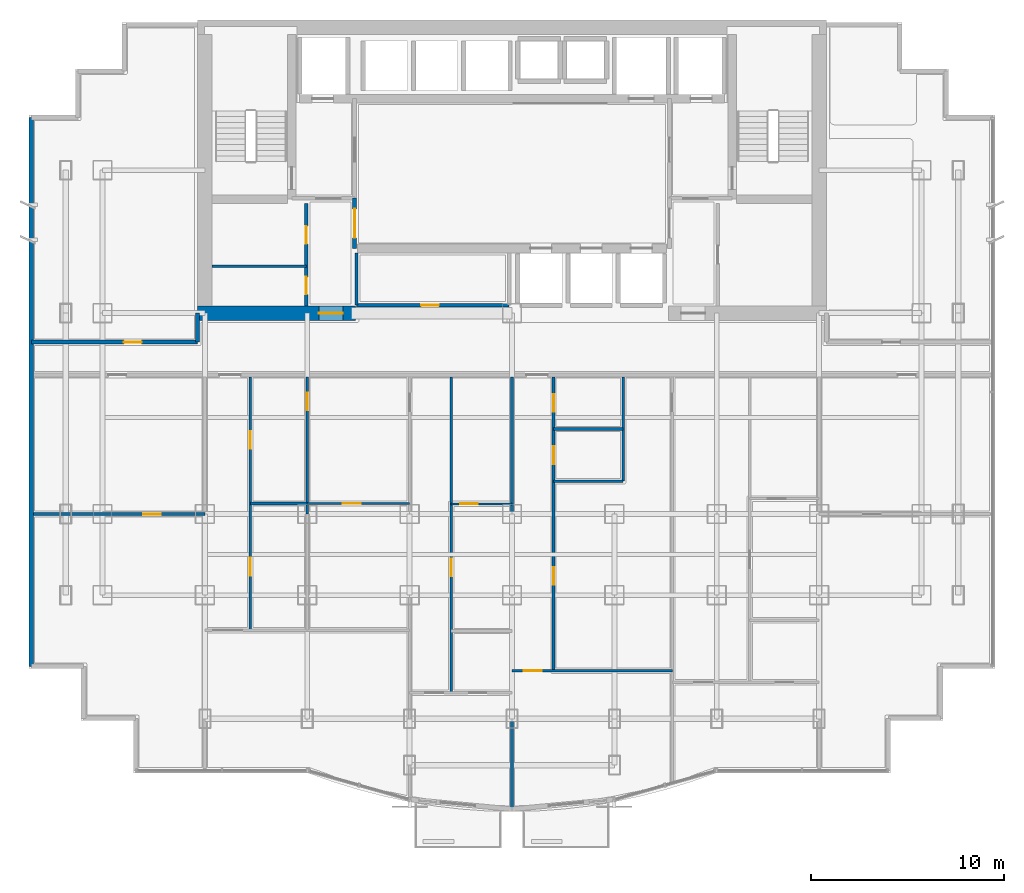
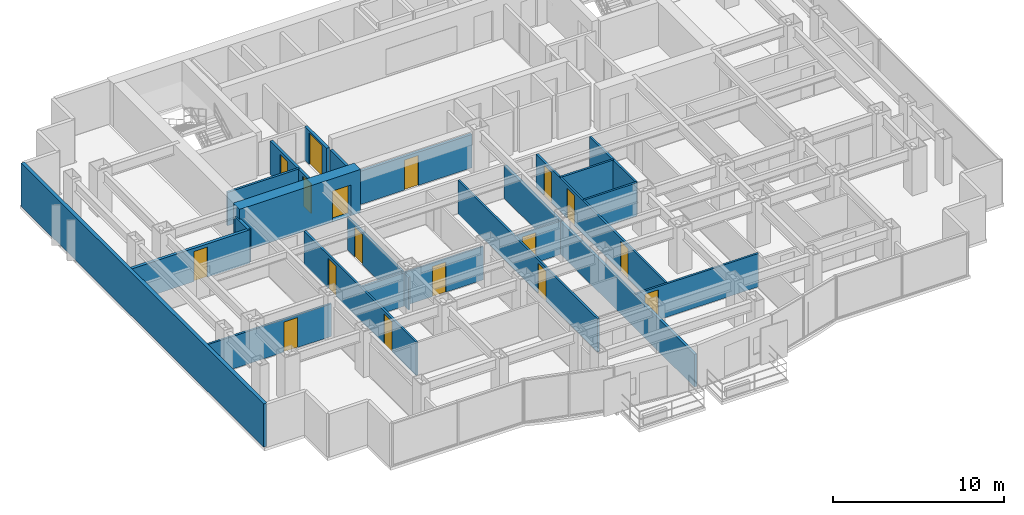
# One storey, part 7 of 12: 22 walls, 17 doors, 17 openings.
"""IFC4 building model written with IfcOpenShell, lengths in metres."""

from ifc_helpers import new_model, si_unit, direction, frame, frame_2d, origin, place, context, subcontext, project, spatial, rectangle, extrude, material, layer, layer_set, type_object, element, fill, save


model = new_model("IFC4")

# Units and contexts
model_context = context("Model", 3, precision=1e-05, world=origin(), true_north=direction((0.0, 1.0)))
body_context = subcontext(model_context, "Body", "Model", "MODEL_VIEW")
ifc_project = project(units=[si_unit("LENGTHUNIT", "METRE"), si_unit("AREAUNIT", "SQUARE_METRE"), si_unit("VOLUMEUNIT", "CUBIC_METRE"), si_unit("PLANEANGLEUNIT", "RADIAN"), si_unit("MASSUNIT", "GRAM", prefix="KILO")], contexts=[model_context])

# Site, building, storey
site_placement = place(None, origin())
site = spatial("IfcSite", under=ifc_project, at=site_placement, CompositionType="ELEMENT")
building_placement = place(site_placement, origin())
building = spatial("IfcBuilding", under=site, at=building_placement, Name="Qianlan Lanfeng Residences", CompositionType="ELEMENT")
storey_placement = place(building_placement, frame((0.0, 0.0, 101.5)))
storey = spatial("IfcBuildingStorey", under=building, at=storey_placement, Name="L27", CompositionType="ELEMENT", Elevation=101.5)

# Wall, opening, door
ifc_material_1 = material(Name="Concrete C60", Category="concrete")
ifc_layer_1 = layer(ifc_material_1, 0.75)
ifc_layer_set_1 = layer_set([ifc_layer_1], Name="Concrete C60")
wall_type_1 = type_object("IfcWallType", Name="CW-RC-750", PredefinedType="SHEAR", material=ifc_layer_set_1)
wall_1_placement = place(storey_placement, frame((10.22509765625, 25.199951171875, 0.0), z_axis=(0.0, 0.0, 1.0), x_axis=(1.0, 0.0, 0.0)))
wall_1 = element("IfcWall", 1, at=wall_1_placement, inside=storey, type_object=wall_type_1, Name="L27 Core Shear Wall SW", PredefinedType="SHEAR", context=body_context, shape_type="SweptSolid", body=[
    extrude(rectangle(XDim=8.1748046875, YDim=0.75, at=frame_2d((4.08740234375, 0.0))), origin(), (0.0, 0.0, 1.0), 3.090087890625),
])
opening_1_placement = place(wall_1_placement, frame((6.27490234375, 0.0, 0.0)))
opening_1 = element("IfcOpeningElement", 2, at=opening_1_placement, cuts=wall_1, Name="Opening L27-D01", PredefinedType="OPENING", context=body_context, shape_type="SweptSolid", body=[
    extrude(rectangle(XDim=1.25, YDim=2.199951171875, at=frame_2d((0.625, 1.10009765625))), frame((0.0, 0.385009765625, 0.0), z_axis=(0.0, -1.0, 0.0), x_axis=(1.0, 0.0, 0.0)), (0.0, 0.0, 1.0), 0.77001953125),
])
ifc_material_2 = material(Name="Painted Galvanised Steel Fire Door", Category="steel")
door_type_1 = type_object("IfcDoorType", Name="DT-FFL", OperationType="NOTDEFINED", PredefinedType="DOOR", material=ifc_material_2)
door_1_placement = place(opening_1_placement, origin())
door_1 = element("IfcDoor", 3, at=door_1_placement, inside=storey, type_object=door_type_1, Name="L27 West Core Lobby Smoke Door L27-D01 (DT-FFL)", OperationType="SINGLE_SWING_RIGHT", OverallHeight=2.199951171875, OverallWidth=1.25, PredefinedType="DOOR", context=body_context, shape_type="SweptSolid", body=[
    extrude(rectangle(XDim=1.25, YDim=2.199951171875, at=frame_2d((0.625, 1.10009765625))), frame((0.0, 0.02490234375, 0.0), z_axis=(0.0, -1.0, 0.0), x_axis=(1.0, 0.0, 0.0)), (0.0, 0.0, 1.0), 0.050048828125),
])
fill(opening_1, door_1)

# Wall
ifc_material_3 = material(Name="Concrete C42", Category="concrete")
ifc_layer_2 = layer(ifc_material_3, 0.239990234375)
ifc_layer_set_2 = layer_set([ifc_layer_2], Name="Concrete C42")
wall_type_2 = type_object("IfcWallType", Name="EW-240", PredefinedType="SOLIDWALL", material=ifc_layer_set_2)
wall_2_placement = place(storey_placement, frame((1.6201171875, 35.330078125, 0.0), z_axis=(0.0, 0.0, 1.0), x_axis=(0.0, -1.0, 0.0)))
element("IfcWall", 4, at=wall_2_placement, inside=storey, type_object=wall_type_2, Name="L27 Exterior Facade Spandrel Wall 21", PredefinedType="SOLIDWALL", context=body_context, shape_type="SweptSolid", body=[
    extrude(rectangle(XDim=28.41015625, YDim=0.239990234375, at=frame_2d((14.205078125, 0.0))), origin(), (0.0, 0.0, 1.0), 3.090087890625),
])

# Wall, opening, door
ifc_material_4 = material(Name="Demountable Acoustic Framing Partition 110 mm")
ifc_layer_3 = layer(ifc_material_4, 0.110107421875)
ifc_layer_set_3 = layer_set([ifc_layer_3], Name="Demountable Acoustic Framing Partition 110 mm")
wall_type_3 = type_object("IfcWallType", Name="PW-110", PredefinedType="MOVABLE", material=ifc_layer_set_3)
wall_3_placement = place(storey_placement, frame((15.89990234375, 15.344970703125, 0.0), z_axis=(0.0, 0.0, 1.0), x_axis=(1.0, 0.0, 0.0)))
wall_3 = element("IfcWall", 5, at=wall_3_placement, inside=storey, type_object=wall_type_3, Name="L27 U01 Study Split", PredefinedType="MOVABLE", context=body_context, shape_type="SweptSolid", body=[
    extrude(rectangle(XDim=5.300048828125, YDim=0.110107421875, at=frame_2d((2.64990234375, 0.0))), origin(), (0.0, 0.0, 1.0), 2.3798828125),
])
opening_2_placement = place(wall_3_placement, frame((1.840087890625, 0.0, 0.0)))
opening_2 = element("IfcOpeningElement", 6, at=opening_2_placement, cuts=wall_3, Name="Opening L27-D21", PredefinedType="OPENING", context=body_context, shape_type="SweptSolid", body=[
    extrude(rectangle(XDim=0.919921875, YDim=2.14990234375, at=frame_2d((0.4599609375, 1.074951171875))), frame((0.0, 0.06494140625, 0.0), z_axis=(0.0, -1.0, 0.0), x_axis=(1.0, 0.0, 0.0)), (0.0, 0.0, 1.0), 0.130126953125),
])
ifc_material_5 = material(Name="Glazed Timber Kitchen/Study Door", Category="wood")
door_type_2 = type_object("IfcDoorType", Name="DT-INT", OperationType="NOTDEFINED", PredefinedType="DOOR", material=ifc_material_5)
door_2_placement = place(opening_2_placement, origin())
door_2 = element("IfcDoor", 7, at=door_2_placement, inside=storey, type_object=door_type_2, Name="L27 U01 Study Inner Door L27-D21 (DT-INT)", OperationType="SINGLE_SWING_RIGHT", OverallHeight=2.14990234375, OverallWidth=0.919921875, PredefinedType="DOOR", context=body_context, shape_type="SweptSolid", body=[
    extrude(rectangle(XDim=0.919921875, YDim=2.14990234375, at=frame_2d((0.4599609375, 1.074951171875))), frame((0.0, 0.02490234375, 0.0), z_axis=(0.0, -1.0, 0.0), x_axis=(1.0, 0.0, 0.0)), (0.0, 0.0, 1.0), 0.050048828125),
])
fill(opening_2, door_2)

wall_4_placement = place(storey_placement, frame((23.35009765625, 15.322998046875, 0.0), z_axis=(0.0, 0.0, 1.0), x_axis=(1.0, 0.0, 0.0)))
wall_4 = element("IfcWall", 8, at=wall_4_placement, inside=storey, type_object=wall_type_3, Name="L27 U01 Wardrobe Split", PredefinedType="MOVABLE", context=body_context, shape_type="SweptSolid", body=[
    extrude(rectangle(XDim=3.14990234375, YDim=0.110107421875, at=frame_2d((1.574951171875, 0.0))), origin(), (0.0, 0.0, 1.0), 2.3798828125),
])
opening_3_placement = place(wall_4_placement, frame((0.465087890625, 0.0, 0.0)))
opening_3 = element("IfcOpeningElement", 9, at=opening_3_placement, cuts=wall_4, Name="Opening L27-D25", PredefinedType="OPENING", context=body_context, shape_type="SweptSolid", body=[
    extrude(rectangle(XDim=0.919921875, YDim=2.14990234375, at=frame_2d((0.4599609375, 1.074951171875))), frame((0.0, 0.06494140625, 0.0), z_axis=(0.0, -1.0, 0.0), x_axis=(1.0, 0.0, 0.0)), (0.0, 0.0, 1.0), 0.130126953125),
])
door_3_placement = place(opening_3_placement, origin())
door_3 = element("IfcDoor", 10, at=door_3_placement, inside=storey, type_object=door_type_2, Name="L27 U01 Dressing Inner Door L27-D25 (DT-INT)", OperationType="SINGLE_SWING_RIGHT", OverallHeight=2.14990234375, OverallWidth=0.919921875, PredefinedType="DOOR", context=body_context, shape_type="SweptSolid", body=[
    extrude(rectangle(XDim=0.919921875, YDim=2.14990234375, at=frame_2d((0.4599609375, 1.074951171875))), frame((0.0, 0.02490234375, 0.0), z_axis=(0.0, -1.0, 0.0), x_axis=(1.0, 0.0, 0.0)), (0.0, 0.0, 1.0), 0.050048828125),
])
fill(opening_3, door_3)

ifc_material_6 = material(Name="Moisture-Resistant Gypsum Partition 135 mm")
ifc_layer_4 = layer(ifc_material_6, 0.135009765625)
ifc_layer_set_4 = layer_set([ifc_layer_4], Name="Moisture-Resistant Gypsum Partition 135 mm")
wall_type_4 = type_object("IfcWallType", Name="PW-135", PredefinedType="PARTITIONING", material=ifc_layer_set_4)
wall_5_placement = place(storey_placement, frame((15.89990234375, 14.800048828125, 0.0), z_axis=(0.0, 0.0, 1.0), x_axis=(0.0, 1.0, 0.0)))
wall_5 = element("IfcWall", 11, at=wall_5_placement, inside=storey, type_object=wall_type_4, Name="L27 U01 North Spine Wall", PredefinedType="PARTITIONING", context=body_context, shape_type="SweptSolid", body=[
    extrude(rectangle(XDim=7.099853515625, YDim=0.135009765625, at=frame_2d((3.5498046875, 0.0))), origin(), (0.0, 0.0, 1.0), 2.3349609375),
])
opening_4_placement = place(wall_5_placement, frame((5.364990234375, 0.0, 0.0)))
opening_4 = element("IfcOpeningElement", 12, at=opening_4_placement, cuts=wall_5, Name="Opening L27-D16", PredefinedType="OPENING", context=body_context, shape_type="SweptSolid", body=[
    extrude(rectangle(XDim=0.919921875, YDim=2.14990234375, at=frame_2d((0.4599609375, 1.074951171875))), frame((0.0, 0.07763671875, 0.0), z_axis=(0.0, -1.0, 0.0), x_axis=(1.0, 0.0, 0.0)), (0.0, 0.0, 1.0), 0.155029296875),
])
door_4_placement = place(opening_4_placement, origin())
door_4 = element("IfcDoor", 13, at=door_4_placement, inside=storey, type_object=door_type_2, Name="L27 U01 North Suite Door L27-D16 (DT-INT)", OperationType="SINGLE_SWING_LEFT", OverallHeight=2.14990234375, OverallWidth=0.919921875, PredefinedType="DOOR", context=body_context, shape_type="SweptSolid", body=[
    extrude(rectangle(XDim=0.919921875, YDim=2.14990234375, at=frame_2d((0.4599609375, 1.074951171875))), frame((0.0, 0.02490234375, 0.0), z_axis=(0.0, -1.0, 0.0), x_axis=(1.0, 0.0, 0.0)), (0.0, 0.0, 1.0), 0.050048828125),
])
fill(opening_4, door_4)

# Wall, openings, doors
wall_6_placement = place(storey_placement, frame((12.949951171875, 8.7900390625, 0.0), z_axis=(0.0, 0.0, 1.0), x_axis=(0.0, 1.0, 0.0)))
wall_6 = element("IfcWall", 14, at=wall_6_placement, inside=storey, type_object=wall_type_4, Name="L27 U01 Kitchen/Bath Wall", PredefinedType="PARTITIONING", context=body_context, shape_type="SweptSolid", body=[
    extrude(rectangle(XDim=13.10986328125, YDim=0.135009765625, at=frame_2d((6.554931640625, 0.0))), origin(), (0.0, 0.0, 1.0), 2.3798828125),
])
opening_5_placement = place(wall_6_placement, frame((2.81689453125, 0.0, 0.0)))
opening_5 = element("IfcOpeningElement", 15, at=opening_5_placement, cuts=wall_6, Name="Opening L27-D19", PredefinedType="OPENING", context=body_context, shape_type="SweptSolid", body=[
    extrude(rectangle(XDim=0.919921875, YDim=2.14990234375, at=frame_2d((0.4599609375, 1.074951171875))), frame((0.0, 0.07763671875, 0.0), z_axis=(0.0, -1.0, 0.0), x_axis=(1.0, 0.0, 0.0)), (0.0, 0.0, 1.0), 0.155029296875),
])
opening_6_placement = place(wall_6_placement, frame((9.383056640625, 0.0, 0.0)))
opening_6 = element("IfcOpeningElement", 16, at=opening_6_placement, cuts=wall_6, Name="Opening L27-D20", PredefinedType="OPENING", context=body_context, shape_type="SweptSolid", body=[
    extrude(rectangle(XDim=0.89990234375, YDim=2.14990234375, at=frame_2d((0.449951171875, 1.074951171875))), frame((0.0, 0.07763671875, 0.0), z_axis=(0.0, -1.0, 0.0), x_axis=(1.0, 0.0, 0.0)), (0.0, 0.0, 1.0), 0.155029296875),
])
door_5_placement = place(opening_5_placement, origin())
door_5 = element("IfcDoor", 17, at=door_5_placement, inside=storey, type_object=door_type_2, Name="L27 U01 Kitchen Door L27-D19 (DT-INT)", OperationType="SINGLE_SWING_RIGHT", OverallHeight=2.14990234375, OverallWidth=0.919921875, PredefinedType="DOOR", context=body_context, shape_type="SweptSolid", body=[
    extrude(rectangle(XDim=0.919921875, YDim=2.14990234375, at=frame_2d((0.4599609375, 1.074951171875))), frame((0.0, 0.02490234375, 0.0), z_axis=(0.0, -1.0, 0.0), x_axis=(1.0, 0.0, 0.0)), (0.0, 0.0, 1.0), 0.050048828125),
])
fill(opening_5, door_5)
ifc_material_7 = material(Name="Moisture-Resistant Timber Leaf", Category="wood")
door_type_3 = type_object("IfcDoorType", Name="DT-WC", OperationType="NOTDEFINED", PredefinedType="DOOR", material=ifc_material_7)
door_6_placement = place(opening_6_placement, origin())
door_6 = element("IfcDoor", 18, at=door_6_placement, inside=storey, type_object=door_type_3, Name="L27 U01 Bathroom Door L27-D20 (DT-WC)", OperationType="SINGLE_SWING_LEFT", OverallHeight=2.14990234375, OverallWidth=0.89990234375, PredefinedType="DOOR", context=body_context, shape_type="SweptSolid", body=[
    extrude(rectangle(XDim=0.89990234375, YDim=2.14990234375, at=frame_2d((0.449951171875, 1.074951171875))), frame((0.0, 0.02490234375, 0.0), z_axis=(0.0, -1.0, 0.0), x_axis=(1.0, 0.0, 0.0)), (0.0, 0.0, 1.0), 0.050048828125),
])
fill(opening_6, door_6)

# Wall
wall_7_placement = place(storey_placement, frame((12.949951171875, 15.344970703125, 0.0), z_axis=(0.0, 0.0, 1.0), x_axis=(1.0, 0.0, 0.0)))
element("IfcWall", 19, at=wall_7_placement, inside=storey, type_object=wall_type_4, Name="L27 U01 Bath Split Wall", PredefinedType="PARTITIONING", context=body_context, shape_type="SweptSolid", body=[
    extrude(rectangle(XDim=2.949951171875, YDim=0.135009765625, at=frame_2d((1.47509765625, 0.0))), origin(), (0.0, 0.0, 1.0), 2.3798828125),
])

# Wall, opening, door
wall_8_placement = place(storey_placement, frame((23.35009765625, 5.547119140625, 0.0), z_axis=(0.0, 0.0, 1.0), x_axis=(0.0, 1.0, 0.0)))
wall_8 = element("IfcWall", 20, at=wall_8_placement, inside=storey, type_object=wall_type_4, Name="L27 U01 Master Passage Wall", PredefinedType="PARTITIONING", context=body_context, shape_type="SweptSolid", body=[
    extrude(rectangle(XDim=16.352783203125, YDim=0.135009765625, at=frame_2d((8.17626953125, 0.0))), origin(), (0.0, 0.0, 1.0), 2.3798828125),
])
opening_7_placement = place(wall_8_placement, frame((6.028076171875, 0.0, 0.0)))
opening_7 = element("IfcOpeningElement", 21, at=opening_7_placement, cuts=wall_8, Name="Opening L27-D24", PredefinedType="OPENING", context=body_context, shape_type="SweptSolid", body=[
    extrude(rectangle(XDim=0.919921875, YDim=2.14990234375, at=frame_2d((0.4599609375, 1.074951171875))), frame((0.0, 0.07763671875, 0.0), z_axis=(0.0, -1.0, 0.0), x_axis=(1.0, 0.0, 0.0)), (0.0, 0.0, 1.0), 0.155029296875),
])
door_7_placement = place(opening_7_placement, origin())
door_7 = element("IfcDoor", 22, at=door_7_placement, inside=storey, type_object=door_type_2, Name="L27 U01 Wardrobe Door L27-D24 (DT-INT)", OperationType="SINGLE_SWING_LEFT", OverallHeight=2.14990234375, OverallWidth=0.919921875, PredefinedType="DOOR", context=body_context, shape_type="SweptSolid", body=[
    extrude(rectangle(XDim=0.919921875, YDim=2.14990234375, at=frame_2d((0.4599609375, 1.074951171875))), frame((0.0, 0.02490234375, 0.0), z_axis=(0.0, -1.0, 0.0), x_axis=(1.0, 0.0, 0.0)), (0.0, 0.0, 1.0), 0.050048828125),
])
fill(opening_7, door_7)

wall_9_placement = place(storey_placement, frame((26.5, 6.680908203125, 0.0), z_axis=(0.0, 0.0, 1.0), x_axis=(1.0, 0.0, 0.0)))
wall_9 = element("IfcWall", 23, at=wall_9_placement, inside=storey, type_object=wall_type_4, Name="L27 U02 Living Divider", PredefinedType="PARTITIONING", context=body_context, shape_type="SweptSolid", body=[
    extrude(rectangle(XDim=8.300048828125, YDim=0.135009765625, at=frame_2d((4.14990234375, 0.0))), origin(), (0.0, 0.0, 1.0), 2.3798828125),
])
opening_8_placement = place(wall_9_placement, frame((0.614990234375, 0.0, 0.0)))
opening_8 = element("IfcOpeningElement", 24, at=opening_8_placement, cuts=wall_9, Name="Opening L27-D28", PredefinedType="OPENING", context=body_context, shape_type="SweptSolid", body=[
    extrude(rectangle(XDim=0.919921875, YDim=2.14990234375, at=frame_2d((0.4599609375, 1.074951171875))), frame((0.0, 0.07763671875, 0.0), z_axis=(0.0, -1.0, 0.0), x_axis=(1.0, 0.0, 0.0)), (0.0, 0.0, 1.0), 0.155029296875),
])
door_8_placement = place(opening_8_placement, frame((0.919921875, 0.0, 0.0), z_axis=(0.0, 0.0, 1.0), x_axis=(-1.0, 0.0, 0.0)))
door_8 = element("IfcDoor", 25, at=door_8_placement, inside=storey, type_object=door_type_2, Name="L27 U02 Living Passage Door L27-D28 (DT-INT)", OperationType="SINGLE_SWING_RIGHT", OverallHeight=2.14990234375, OverallWidth=0.919921875, PredefinedType="DOOR", context=body_context, shape_type="SweptSolid", body=[
    extrude(rectangle(XDim=0.919921875, YDim=2.14990234375, at=frame_2d((0.4599609375, 1.074951171875))), frame((0.0, 0.02490234375, 0.0), z_axis=(0.0, -1.0, 0.0), x_axis=(1.0, 0.0, 0.0)), (0.0, 0.0, 1.0), 0.050048828125),
])
fill(opening_8, door_8)

# Wall, openings, doors
wall_10_placement = place(storey_placement, frame((28.64990234375, 6.680908203125, 0.0), z_axis=(0.0, 0.0, 1.0), x_axis=(0.0, 1.0, 0.0)))
wall_10 = element("IfcWall", 26, at=wall_10_placement, inside=storey, type_object=wall_type_4, Name="L27 U02 Entry Hall Spine", PredefinedType="PARTITIONING", context=body_context, shape_type="SweptSolid", body=[
    extrude(rectangle(XDim=15.218994140625, YDim=0.135009765625, at=frame_2d((7.609375, 0.0))), origin(), (0.0, 0.0, 1.0), 2.3798828125),
])
opening_9_placement = place(wall_10_placement, frame((4.449951171875, 0.0, 0.0)))
opening_9 = element("IfcOpeningElement", 27, at=opening_9_placement, cuts=wall_10, Name="Opening L27-D29", PredefinedType="OPENING", context=body_context, shape_type="SweptSolid", body=[
    extrude(rectangle(XDim=0.919921875, YDim=2.14990234375, at=frame_2d((0.4599609375, 1.074951171875))), frame((0.0, 0.07763671875, 0.0), z_axis=(0.0, -1.0, 0.0), x_axis=(1.0, 0.0, 0.0)), (0.0, 0.0, 1.0), 0.155029296875),
])
opening_10_placement = place(wall_10_placement, frame((10.708984375, 0.0, 0.0)))
opening_10 = element("IfcOpeningElement", 28, at=opening_10_placement, cuts=wall_10, Name="Opening L27-D30", PredefinedType="OPENING", context=body_context, shape_type="SweptSolid", body=[
    extrude(rectangle(XDim=0.919921875, YDim=2.14990234375, at=frame_2d((0.4599609375, 1.074951171875))), frame((0.0, 0.07763671875, 0.0), z_axis=(0.0, -1.0, 0.0), x_axis=(1.0, 0.0, 0.0)), (0.0, 0.0, 1.0), 0.155029296875),
])
opening_11_placement = place(wall_10_placement, frame((13.4189453125, 0.0, 0.0)))
opening_11 = element("IfcOpeningElement", 29, at=opening_11_placement, cuts=wall_10, Name="Opening L27-D31", PredefinedType="OPENING", context=body_context, shape_type="SweptSolid", body=[
    extrude(rectangle(XDim=0.89990234375, YDim=2.14990234375, at=frame_2d((0.449951171875, 1.074951171875))), frame((0.0, 0.07763671875, 0.0), z_axis=(0.0, -1.0, 0.0), x_axis=(1.0, 0.0, 0.0)), (0.0, 0.0, 1.0), 0.155029296875),
])
door_9_placement = place(opening_9_placement, origin())
door_9 = element("IfcDoor", 30, at=door_9_placement, inside=storey, type_object=door_type_2, Name="L27 U02 Study Door L27-D29 (DT-INT)", OperationType="SINGLE_SWING_RIGHT", OverallHeight=2.14990234375, OverallWidth=0.919921875, PredefinedType="DOOR", context=body_context, shape_type="SweptSolid", body=[
    extrude(rectangle(XDim=0.919921875, YDim=2.14990234375, at=frame_2d((0.4599609375, 1.074951171875))), frame((0.0, 0.02490234375, 0.0), z_axis=(0.0, -1.0, 0.0), x_axis=(1.0, 0.0, 0.0)), (0.0, 0.0, 1.0), 0.050048828125),
])
fill(opening_9, door_9)
door_10_placement = place(opening_10_placement, origin())
door_10 = element("IfcDoor", 31, at=door_10_placement, inside=storey, type_object=door_type_2, Name="L27 U02 Kitchen Door L27-D30 (DT-INT)", OperationType="SINGLE_SWING_LEFT", OverallHeight=2.14990234375, OverallWidth=0.919921875, PredefinedType="DOOR", context=body_context, shape_type="SweptSolid", body=[
    extrude(rectangle(XDim=0.919921875, YDim=2.14990234375, at=frame_2d((0.4599609375, 1.074951171875))), frame((0.0, 0.02490234375, 0.0), z_axis=(0.0, -1.0, 0.0), x_axis=(1.0, 0.0, 0.0)), (0.0, 0.0, 1.0), 0.050048828125),
])
fill(opening_10, door_10)
door_11_placement = place(opening_11_placement, origin())
door_11 = element("IfcDoor", 32, at=door_11_placement, inside=storey, type_object=door_type_3, Name="L27 U02 Bathroom Door L27-D31 (DT-WC)", OperationType="SINGLE_SWING_RIGHT", OverallHeight=2.14990234375, OverallWidth=0.89990234375, PredefinedType="DOOR", context=body_context, shape_type="SweptSolid", body=[
    extrude(rectangle(XDim=0.89990234375, YDim=2.14990234375, at=frame_2d((0.449951171875, 1.074951171875))), frame((0.0, 0.02490234375, 0.0), z_axis=(0.0, -1.0, 0.0), x_axis=(1.0, 0.0, 0.0)), (0.0, 0.0, 1.0), 0.050048828125),
])
fill(opening_11, door_11)

# Walls
wall_11_placement = place(storey_placement, frame((28.64990234375, 16.5, 0.0), z_axis=(0.0, 0.0, 1.0), x_axis=(1.0, 0.0, 0.0)))
element("IfcWall", 33, at=wall_11_placement, inside=storey, type_object=wall_type_4, Name="L27 U02 Kitchen South Wall", PredefinedType="PARTITIONING", context=body_context, shape_type="SweptSolid", body=[
    extrude(rectangle(XDim=3.60009765625, YDim=0.135009765625, at=frame_2d((1.800048828125, 0.0))), origin(), (0.0, 0.0, 1.0), 2.3798828125),
])
wall_12_placement = place(storey_placement, frame((32.25, 16.5, 0.0), z_axis=(0.0, 0.0, 1.0), x_axis=(0.0, 1.0, 0.0)))
element("IfcWall", 34, at=wall_12_placement, inside=storey, type_object=wall_type_4, Name="L27 U02 Dining East Wall", PredefinedType="PARTITIONING", context=body_context, shape_type="SweptSolid", body=[
    extrude(rectangle(XDim=5.39990234375, YDim=0.135009765625, at=frame_2d((2.699951171875, 0.0))), origin(), (0.0, 0.0, 1.0), 2.3798828125),
])
wall_13_placement = place(storey_placement, frame((28.64990234375, 19.199951171875, 0.0), z_axis=(0.0, 0.0, 1.0), x_axis=(1.0, 0.0, 0.0)))
element("IfcWall", 35, at=wall_13_placement, inside=storey, type_object=wall_type_4, Name="L27 U02 Bathroom South Wall", PredefinedType="PARTITIONING", context=body_context, shape_type="SweptSolid", body=[
    extrude(rectangle(XDim=3.60009765625, YDim=0.135009765625, at=frame_2d((1.800048828125, 0.0))), origin(), (0.0, 0.0, 1.0), 2.3798828125),
])

# Wall, opening, door
wall_14_placement = place(storey_placement, frame((1.719970703125, 14.800048828125, 0.0), z_axis=(0.0, 0.0, 1.0), x_axis=(1.0, 0.0, 0.0)))
wall_14 = element("IfcWall", 36, at=wall_14_placement, inside=storey, type_object=wall_type_4, Name="L27 SWP Mid Partition", PredefinedType="PARTITIONING", context=body_context, shape_type="SweptSolid", body=[
    extrude(rectangle(XDim=8.880126953125, YDim=0.135009765625, at=frame_2d((4.43994140625, 0.0))), origin(), (0.0, 0.0, 1.0), 2.3349609375),
])
opening_12_placement = place(wall_14_placement, frame((5.679931640625, 0.0, 0.0)))
opening_12 = element("IfcOpeningElement", 37, at=opening_12_placement, cuts=wall_14, Name="Opening L27-D36", PredefinedType="OPENING", context=body_context, shape_type="SweptSolid", body=[
    extrude(rectangle(XDim=0.919921875, YDim=2.14990234375, at=frame_2d((0.4599609375, 1.074951171875))), frame((0.0, 0.07763671875, 0.0), z_axis=(0.0, -1.0, 0.0), x_axis=(1.0, 0.0, 0.0)), (0.0, 0.0, 1.0), 0.155029296875),
])
door_12_placement = place(opening_12_placement, origin())
door_12 = element("IfcDoor", 38, at=door_12_placement, inside=storey, type_object=door_type_2, Name="L27 SWP Inner Door L27-D36 (DT-INT)", OperationType="SINGLE_SWING_LEFT", OverallHeight=2.14990234375, OverallWidth=0.919921875, PredefinedType="DOOR", context=body_context, shape_type="SweptSolid", body=[
    extrude(rectangle(XDim=0.919921875, YDim=2.14990234375, at=frame_2d((0.4599609375, 1.074951171875))), frame((0.0, 0.02490234375, 0.0), z_axis=(0.0, -1.0, 0.0), x_axis=(1.0, 0.0, 0.0)), (0.0, 0.0, 1.0), 0.050048828125),
])
fill(opening_12, door_12)

# Wall
ifc_material_8 = material(Name="Acoustic Drywall Partition 150 mm")
ifc_layer_5 = layer(ifc_material_8, 0.14990234375)
ifc_layer_set_5 = layer_set([ifc_layer_5], Name="Acoustic Drywall Partition 150 mm")
wall_type_5 = type_object("IfcWallType", Name="PW-150", PredefinedType="PARTITIONING", material=ifc_layer_set_5)
wall_15_placement = place(storey_placement, frame((10.97509765625, 27.625, 0.0), z_axis=(0.0, 0.0, 1.0), x_axis=(1.0, 0.0, 0.0)))
element("IfcWall", 39, at=wall_15_placement, inside=storey, type_object=wall_type_5, Name="L27 Core West Split", PredefinedType="PARTITIONING", context=body_context, shape_type="SweptSolid", body=[
    extrude(rectangle(XDim=4.875, YDim=0.14990234375, at=frame_2d((2.4375, 0.0))), origin(), (0.0, 0.0, 1.0), 2.3798828125),
])

# Wall, openings, doors
ifc_material_9 = material(Name="Double-Layer Acoustic Gypsum Stud Wall 180 mm")
ifc_layer_6 = layer(ifc_material_9, 0.179931640625)
ifc_layer_set_6 = layer_set([ifc_layer_6], Name="Double-Layer Acoustic Gypsum Stud Wall 180 mm")
wall_type_6 = type_object("IfcWallType", Name="PW-180", PredefinedType="PARTITIONING", material=ifc_layer_set_6)
wall_16_placement = place(storey_placement, frame((15.85009765625, 25.574951171875, 0.0), z_axis=(0.0, 0.0, 1.0), x_axis=(0.0, 1.0, 0.0)))
wall_16 = element("IfcWall", 40, at=wall_16_placement, inside=storey, type_object=wall_type_6, Name="L27 Core West Service Room Wall", PredefinedType="PARTITIONING", context=body_context, shape_type="SweptSolid", body=[
    extrude(rectangle(XDim=5.300048828125, YDim=0.179931640625, at=frame_2d((2.64990234375, 0.0))), origin(), (0.0, 0.0, 1.0), 2.3798828125),
])
opening_13_placement = place(wall_16_placement, frame((0.60009765625, 0.0, 0.0)))
opening_13 = element("IfcOpeningElement", 41, at=opening_13_placement, cuts=wall_16, Name="Opening L27-D09", PredefinedType="OPENING", context=body_context, shape_type="SweptSolid", body=[
    extrude(rectangle(XDim=0.89990234375, YDim=2.14990234375, at=frame_2d((0.449951171875, 1.074951171875))), frame((0.0, 0.10009765625, 0.0), z_axis=(0.0, -1.0, 0.0), x_axis=(1.0, 0.0, 0.0)), (0.0, 0.0, 1.0), 0.199951171875),
])
opening_14_placement = place(wall_16_placement, frame((3.215087890625, 0.0, 0.0)))
opening_14 = element("IfcOpeningElement", 42, at=opening_14_placement, cuts=wall_16, Name="Opening L27-D10", PredefinedType="OPENING", context=body_context, shape_type="SweptSolid", body=[
    extrude(rectangle(XDim=0.919921875, YDim=2.14990234375, at=frame_2d((0.4599609375, 1.074951171875))), frame((0.0, 0.10009765625, 0.0), z_axis=(0.0, -1.0, 0.0), x_axis=(1.0, 0.0, 0.0)), (0.0, 0.0, 1.0), 0.199951171875),
])
door_13_placement = place(opening_14_placement, origin())
door_13 = element("IfcDoor", 43, at=door_13_placement, inside=storey, type_object=door_type_2, Name="L27 Janitor Closet Door L27-D10 (DT-INT)", OperationType="SINGLE_SWING_LEFT", OverallHeight=2.14990234375, OverallWidth=0.919921875, PredefinedType="DOOR", context=body_context, shape_type="SweptSolid", body=[
    extrude(rectangle(XDim=0.919921875, YDim=2.14990234375, at=frame_2d((0.4599609375, 1.074951171875))), frame((0.0, 0.02490234375, 0.0), z_axis=(0.0, -1.0, 0.0), x_axis=(1.0, 0.0, 0.0)), (0.0, 0.0, 1.0), 0.050048828125),
])
fill(opening_14, door_13)
door_14_placement = place(opening_13_placement, frame((0.89990234375, 0.0, 0.0), z_axis=(0.0, 0.0, 1.0), x_axis=(-1.0, 0.0, 0.0)))
door_14 = element("IfcDoor", 44, at=door_14_placement, inside=storey, type_object=door_type_3, Name="L27 Core Staff WC Door L27-D09 (DT-WC)", OperationType="SINGLE_SWING_RIGHT", OverallHeight=2.14990234375, OverallWidth=0.89990234375, PredefinedType="DOOR", context=body_context, shape_type="SweptSolid", body=[
    extrude(rectangle(XDim=0.89990234375, YDim=2.14990234375, at=frame_2d((0.449951171875, 1.074951171875))), frame((0.0, 0.02490234375, 0.0), z_axis=(0.0, -1.0, 0.0), x_axis=(1.0, 0.0, 0.0)), (0.0, 0.0, 1.0), 0.050048828125),
])
fill(opening_13, door_14)

# Wall
wall_17_placement = place(storey_placement, frame((18.449951171875, 25.6201171875, 0.0), z_axis=(0.0, 0.0, 1.0), x_axis=(0.0, 1.0, 0.0)))
element("IfcWall", 45, at=wall_17_placement, inside=storey, type_object=wall_type_6, Name="L27 Reclaimed Low-Bank Room West Wall", PredefinedType="PARTITIONING", context=body_context, shape_type="SweptSolid", body=[
    extrude(rectangle(XDim=2.704833984375, YDim=0.179931640625, at=frame_2d((1.3525390625, 0.0))), origin(), (0.0, 0.0, 1.0), 2.3798828125),
])

# Wall, opening, door
wall_18_placement = place(storey_placement, frame((18.449951171875, 25.6201171875, 0.0), z_axis=(0.0, 0.0, 1.0), x_axis=(1.0, 0.0, 0.0)))
wall_18 = element("IfcWall", 46, at=wall_18_placement, inside=storey, type_object=wall_type_6, Name="L27 Reclaimed Low-Bank Room South Wall", PredefinedType="PARTITIONING", context=body_context, shape_type="SweptSolid", body=[
    extrude(rectangle(XDim=7.900146484375, YDim=0.179931640625, at=frame_2d((3.9501953125, 0.0))), origin(), (0.0, 0.0, 1.0), 2.3798828125),
])
opening_15_placement = place(wall_18_placement, frame((3.340087890625, 0.0, 0.0)))
opening_15 = element("IfcOpeningElement", 47, at=opening_15_placement, cuts=wall_18, Name="Opening L27-D14", PredefinedType="OPENING", context=body_context, shape_type="SweptSolid", body=[
    extrude(rectangle(XDim=0.919921875, YDim=2.14990234375, at=frame_2d((0.4599609375, 1.074951171875))), frame((0.0, 0.10009765625, 0.0), z_axis=(0.0, -1.0, 0.0), x_axis=(1.0, 0.0, 0.0)), (0.0, 0.0, 1.0), 0.199951171875),
])
door_15_placement = place(opening_15_placement, origin())
door_15 = element("IfcDoor", 48, at=door_15_placement, inside=storey, type_object=door_type_2, Name="L27 Reclaimed Core Salon Door L27-D14 (DT-INT)", OperationType="SINGLE_SWING_LEFT", OverallHeight=2.14990234375, OverallWidth=0.919921875, PredefinedType="DOOR", context=body_context, shape_type="SweptSolid", body=[
    extrude(rectangle(XDim=0.919921875, YDim=2.14990234375, at=frame_2d((0.4599609375, 1.074951171875))), frame((0.0, 0.02490234375, 0.0), z_axis=(0.0, -1.0, 0.0), x_axis=(1.0, 0.0, 0.0)), (0.0, 0.0, 1.0), 0.050048828125),
])
fill(opening_15, door_15)

# Wall
wall_19_placement = place(storey_placement, frame((26.5, -0.3798828125, 0.0), z_axis=(0.0, 0.0, 1.0), x_axis=(0.0, 1.0, 0.0)))
element("IfcWall", 49, at=wall_19_placement, inside=storey, type_object=wall_type_6, Name="L27 Inter-Tenancy Party Wall 2", PredefinedType="PARTITIONING", context=body_context, shape_type="SweptSolid", body=[
    extrude(rectangle(XDim=22.27978515625, YDim=0.179931640625, at=frame_2d((11.139892578125, 0.0))), origin(), (0.0, 0.0, 1.0), 2.3349609375),
])

# Wall, opening, door
ifc_material_10 = material(Name="Autoclaved Aerated Concrete Blockwork 200 mm", Category="masonry")
ifc_layer_7 = layer(ifc_material_10, 0.199951171875)
ifc_layer_set_7 = layer_set([ifc_layer_7], Name="Autoclaved Aerated Concrete Blockwork 200 mm")
wall_type_7 = type_object("IfcWallType", Name="PW-200", PredefinedType="PARTITIONING", material=ifc_layer_set_7)
wall_20_placement = place(storey_placement, frame((18.35009765625, 28.550048828125, 0.0), z_axis=(0.0, 0.0, 1.0), x_axis=(0.0, 1.0, 0.0)))
wall_20 = element("IfcWall", 50, at=wall_20_placement, inside=storey, type_object=wall_type_7, Name="L27 Lift Lobby West Connector Wall", PredefinedType="PARTITIONING", context=body_context, shape_type="SweptSolid", body=[
    extrude(rectangle(XDim=2.599853515625, YDim=0.199951171875, at=frame_2d((1.2998046875, 0.0))), origin(), (0.0, 0.0, 1.0), 2.3798828125),
])
opening_16_placement = place(wall_20_placement, frame((0.550048828125, 0.0, 0.0)))
opening_16 = element("IfcOpeningElement", 51, at=opening_16_placement, cuts=wall_20, Name="Opening L27-D12", PredefinedType="OPENING", context=body_context, shape_type="SweptSolid", body=[
    extrude(rectangle(XDim=1.5, YDim=2.25, at=frame_2d((0.75, 1.125))), frame((0.0, 0.10986328125, 0.0), z_axis=(0.0, -1.0, 0.0), x_axis=(1.0, 0.0, 0.0)), (0.0, 0.0, 1.0), 0.219970703125),
])
ifc_material_11 = material(Name="Timber Veneer Acoustic Fire Door", Category="wood")
door_type_4 = type_object("IfcDoorType", Name="DT-COR1", OperationType="NOTDEFINED", PredefinedType="DOOR", material=ifc_material_11)
door_16_placement = place(opening_16_placement, origin())
door_16 = element("IfcDoor", 52, at=door_16_placement, inside=storey, type_object=door_type_4, Name="L27 Lift Lobby West Portal Door L27-D12 (DT-COR1)", OperationType="DOUBLE_DOOR_SINGLE_SWING", OverallHeight=2.25, OverallWidth=1.5, PredefinedType="DOOR", context=body_context, shape_type="SweptSolid", body=[
    extrude(rectangle(XDim=1.5, YDim=2.25, at=frame_2d((0.75, 1.125))), frame((0.0, 0.02490234375, 0.0), z_axis=(0.0, -1.0, 0.0), x_axis=(1.0, 0.0, 0.0)), (0.0, 0.0, 1.0), 0.050048828125),
])
fill(opening_16, door_16)

wall_21_placement = place(storey_placement, frame((1.6201171875, 23.699951171875, 0.0), z_axis=(0.0, 0.0, 1.0), x_axis=(1.0, 0.0, 0.0)))
wall_21 = element("IfcWall", 53, at=wall_21_placement, inside=storey, type_object=wall_type_7, Name="L27 Corridor NW Wall", PredefinedType="PARTITIONING", context=body_context, shape_type="SweptSolid", body=[
    extrude(rectangle(XDim=8.60498046875, YDim=0.199951171875, at=frame_2d((4.302490234375, 0.0))), origin(), (0.0, 0.0, 1.0), 2.3798828125),
])
opening_17_placement = place(wall_21_placement, frame((4.7919921875, 0.0, 0.0)))
opening_17 = element("IfcOpeningElement", 54, at=opening_17_placement, cuts=wall_21, Name="Opening L27-D40", PredefinedType="OPENING", context=body_context, shape_type="SweptSolid", body=[
    extrude(rectangle(XDim=0.919921875, YDim=2.14990234375, at=frame_2d((0.4599609375, 1.074951171875))), frame((0.0, 0.10986328125, 0.0), z_axis=(0.0, -1.0, 0.0), x_axis=(1.0, 0.0, 0.0)), (0.0, 0.0, 1.0), 0.219970703125),
])
door_17_placement = place(opening_17_placement, origin())
door_17 = element("IfcDoor", 55, at=door_17_placement, inside=storey, type_object=door_type_2, Name="L27 WW Amenity Salon Door L27-D40 (DT-INT)", OperationType="SINGLE_SWING_LEFT", OverallHeight=2.14990234375, OverallWidth=0.919921875, PredefinedType="DOOR", context=body_context, shape_type="SweptSolid", body=[
    extrude(rectangle(XDim=0.919921875, YDim=2.14990234375, at=frame_2d((0.4599609375, 1.074951171875))), frame((0.0, 0.02490234375, 0.0), z_axis=(0.0, -1.0, 0.0), x_axis=(1.0, 0.0, 0.0)), (0.0, 0.0, 1.0), 0.050048828125),
])
fill(opening_17, door_17)

# Wall
wall_22_placement = place(storey_placement, frame((10.22509765625, 23.699951171875, 0.0), z_axis=(0.0, 0.0, 1.0), x_axis=(0.0, 1.0, 0.0)))
element("IfcWall", 56, at=wall_22_placement, inside=storey, type_object=wall_type_7, Name="L27 NW Wing Core Return Wall", PredefinedType="PARTITIONING", context=body_context, shape_type="SweptSolid", body=[
    extrude(rectangle(XDim=1.5, YDim=0.199951171875, at=frame_2d((0.75, 0.0))), origin(), (0.0, 0.0, 1.0), 2.3798828125),
])

save(model, "model.ifc")
